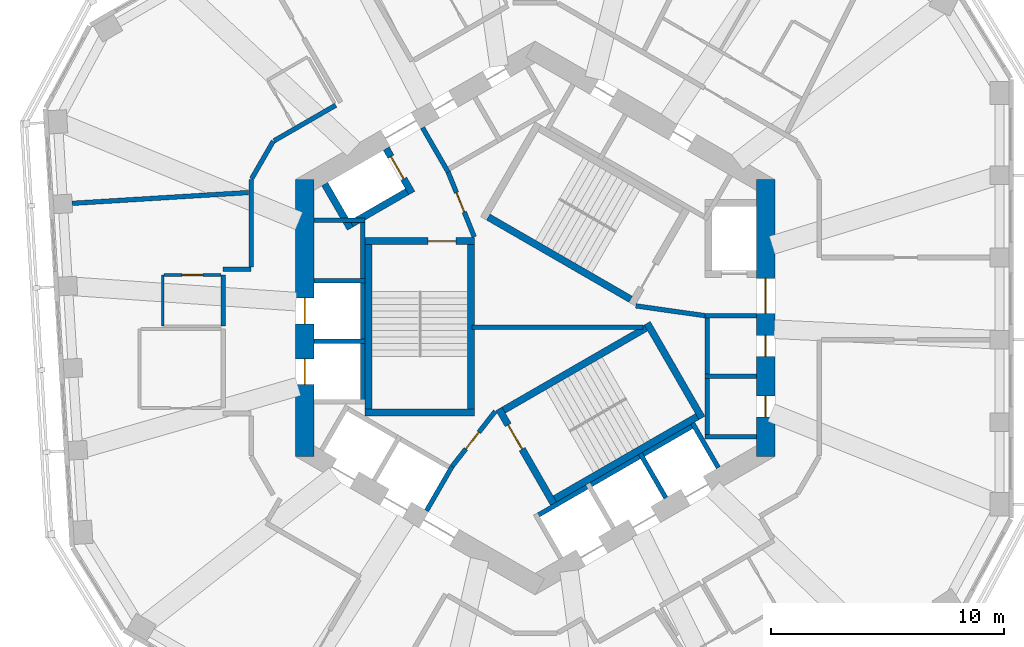
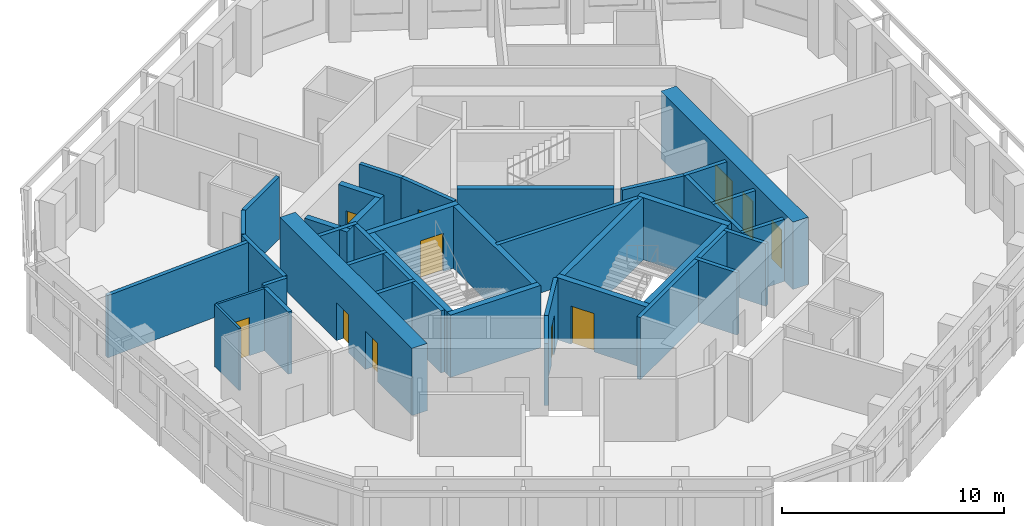
# One storey, part 5 of 11: 39 walls, 11 doors, 11 openings.
"""IFC4 building model written with IfcOpenShell, lengths in metres."""

from ifc_helpers import new_model, si_unit, direction, frame, frame_2d, origin, place, context, subcontext, project, spatial, rectangle, extrude, material, layer, layer_set, type_object, element, fill, save


model = new_model("IFC4")

# Units and contexts
model_context = context("Model", 3, precision=1e-05, world=origin(), true_north=direction((0.0, 1.0)))
body_context = subcontext(model_context, "Body", "Model", "MODEL_VIEW")
ifc_project = project(units=[si_unit("LENGTHUNIT", "METRE"), si_unit("AREAUNIT", "SQUARE_METRE"), si_unit("VOLUMEUNIT", "CUBIC_METRE"), si_unit("PLANEANGLEUNIT", "RADIAN"), si_unit("MASSUNIT", "GRAM", prefix="KILO")], contexts=[model_context])

# Site, building, storey
site_placement = place(None, origin())
site = spatial("IfcSite", under=ifc_project, at=site_placement, CompositionType="ELEMENT")
building_placement = place(site_placement, origin())
building = spatial("IfcBuilding", under=site, at=building_placement, Name="Vanh Sen Convention Tower", CompositionType="ELEMENT")
storey_placement = place(building_placement, frame((0.0, 0.0, 247.60009765625)))
storey = spatial("IfcBuildingStorey", under=building, at=storey_placement, Name="L61", CompositionType="ELEMENT", Elevation=247.60009765625)

# Wall
ifc_material_1 = material(Name="Moisture-resistant gypsum board on steel studs", Category="steel")
ifc_layer_1 = layer(ifc_material_1, 0.1201171875)
ifc_layer_set_1 = layer_set([ifc_layer_1], Name="Moisture-resistant gypsum board on steel studs")
wall_type_1 = type_object("IfcWallType", Name="Bathroom partition 120", PredefinedType="PARTITIONING", material=ifc_layer_set_1)
wall_1_placement = place(storey_placement, frame((-16.0009765625, -0.34912109375, 0.0), z_axis=(0.0, 0.0, 1.0), x_axis=(0.0, 1.0, 0.0)))
element("IfcWall", 1, at=wall_1_placement, inside=storey, type_object=wall_type_1, Name="Bathroom partition 120", PredefinedType="PARTITIONING", context=body_context, shape_type="SweptSolid", body=[
    extrude(rectangle(XDim=2.2001953125, YDim=0.1201171875, at=frame_2d((1.10009765625, 0.0))), origin(), (0.0, 0.0, 1.0), 3.419921875),
])

# Wall, opening, door
wall_2_placement = place(storey_placement, frame((-15.94091796875, 1.85107421875, 0.0), z_axis=(0.0, 0.0, 1.0), x_axis=(1.0, 0.0, 0.0)))
wall_2 = element("IfcWall", 2, at=wall_2_placement, inside=storey, type_object=wall_type_1, Name="Bathroom partition 120", PredefinedType="PARTITIONING", context=body_context, shape_type="SweptSolid", body=[
    extrude(rectangle(XDim=2.43994140625, YDim=0.1201171875, at=frame_2d((1.219970703125, 0.0))), origin(), (0.0, 0.0, 1.0), 3.419921875),
])
opening_1_placement = place(wall_2_placement, frame((0.77001953125, 0.0, 0.0)))
opening_1 = element("IfcOpeningElement", 3, at=opening_1_placement, cuts=wall_2, Name="Opening D61111", PredefinedType="OPENING", context=body_context, shape_type="SweptSolid", body=[
    extrude(rectangle(XDim=0.89990234375, YDim=2.10009765625, at=frame_2d((0.449951171875, 1.050048828125))), frame((0.0, 0.070068359375, 0.0), z_axis=(0.0, -1.0, 0.0), x_axis=(1.0, 0.0, 0.0)), (0.0, 0.0, 1.0), 0.14013671875),
])
ifc_material_2 = material(Name="Laminate door in steel frame", Category="steel")
door_type_1 = type_object("IfcDoorType", Name="Room internal door 900", OperationType="SINGLE_SWING_LEFT", PredefinedType="DOOR", material=ifc_material_2)
door_1_placement = place(opening_1_placement, origin())
door_1 = element("IfcDoor", 4, at=door_1_placement, inside=storey, type_object=door_type_1, Name="Internal room door D61111", OperationType="SINGLE_SWING_LEFT", OverallHeight=2.10009765625, OverallWidth=0.89990234375, PredefinedType="DOOR", context=body_context, shape_type="SweptSolid", body=[
    extrude(rectangle(XDim=0.89990234375, YDim=2.10009765625, at=frame_2d((0.449951171875, 1.050048828125))), frame((0.0, 0.02490234375, 0.0), z_axis=(0.0, -1.0, 0.0), x_axis=(1.0, 0.0, 0.0)), (0.0, 0.0, 1.0), 0.050048828125),
])
fill(opening_1, door_1)

# Wall, openings, doors
ifc_material_3 = material(Name="Concrete C60/75", Category="concrete")
ifc_layer_2 = layer(ifc_material_3, 0.800048828125)
ifc_layer_set_2 = layer_set([ifc_layer_2], Name="Concrete C60/75")
wall_type_2 = type_object("IfcWallType", Name="Core outer wall 800 C60/75", PredefinedType="SHEAR", material=ifc_layer_set_2)
wall_3_placement = place(storey_placement, frame((9.89990234375, -5.94677734375, 0.0), z_axis=(0.0, 0.0, 1.0), x_axis=(0.0, 1.0, 0.0)))
wall_3 = element("IfcWall", 5, at=wall_3_placement, inside=storey, type_object=wall_type_2, Name="Core wall face E L61", PredefinedType="SHEAR", context=body_context, shape_type="SweptSolid", body=[
    extrude(rectangle(XDim=11.8935546875, YDim=0.800048828125, at=frame_2d((5.94677734375, 0.0))), origin(), (0.0, 0.0, 1.0), 3.699951171875),
])
opening_2_placement = place(wall_3_placement, frame((6.146728515625, 0.0, 0.0)))
opening_2 = element("IfcOpeningElement", 6, at=opening_2_placement, cuts=wall_3, Name="Opening D61001", PredefinedType="OPENING", context=body_context, shape_type="SweptSolid", body=[
    extrude(rectangle(XDim=1.5, YDim=2.10009765625, at=frame_2d((0.75, 1.050048828125))), frame((0.0, 0.409912109375, 0.0), z_axis=(0.0, -1.0, 0.0), x_axis=(1.0, 0.0, 0.0)), (0.0, 0.0, 1.0), 0.820068359375),
])
opening_3_placement = place(wall_3_placement, frame((1.69677734375, 0.0, 0.0)))
opening_3 = element("IfcOpeningElement", 7, at=opening_3_placement, cuts=wall_3, Name="Opening D61009", PredefinedType="OPENING", context=body_context, shape_type="SweptSolid", body=[
    extrude(rectangle(XDim=0.89990234375, YDim=2.10009765625, at=frame_2d((0.449951171875, 1.050048828125))), frame((0.0, 0.409912109375, 0.0), z_axis=(0.0, -1.0, 0.0), x_axis=(1.0, 0.0, 0.0)), (0.0, 0.0, 1.0), 0.820068359375),
])
opening_4_placement = place(wall_3_placement, frame((4.296630859375, 0.0, 0.0)))
opening_4 = element("IfcOpeningElement", 8, at=opening_4_placement, cuts=wall_3, Name="Opening D61010", PredefinedType="OPENING", context=body_context, shape_type="SweptSolid", body=[
    extrude(rectangle(XDim=0.89990234375, YDim=2.10009765625, at=frame_2d((0.449951171875, 1.050048828125))), frame((0.0, 0.409912109375, 0.0), z_axis=(0.0, -1.0, 0.0), x_axis=(1.0, 0.0, 0.0)), (0.0, 0.0, 1.0), 0.820068359375),
])
ifc_material_4 = material(Name="Steel S355", Category="steel")
door_type_2 = type_object("IfcDoorType", Name="Plant door 900", OperationType="SINGLE_SWING_LEFT", PredefinedType="DOOR", material=ifc_material_4)
door_2_placement = place(opening_3_placement, origin())
door_2 = element("IfcDoor", 9, at=door_2_placement, inside=storey, type_object=door_type_2, Name="Plant door D61009", OperationType="SINGLE_SWING_LEFT", OverallHeight=2.10009765625, OverallWidth=0.89990234375, PredefinedType="DOOR", context=body_context, shape_type="SweptSolid", body=[
    extrude(rectangle(XDim=0.89990234375, YDim=2.10009765625, at=frame_2d((0.449951171875, 1.050048828125))), frame((0.0, 0.02490234375, 0.0), z_axis=(0.0, -1.0, 0.0), x_axis=(1.0, 0.0, 0.0)), (0.0, 0.0, 1.0), 0.050048828125),
])
fill(opening_3, door_2)
door_3_placement = place(opening_4_placement, origin())
door_3 = element("IfcDoor", 10, at=door_3_placement, inside=storey, type_object=door_type_2, Name="Plant door D61010", OperationType="SINGLE_SWING_LEFT", OverallHeight=2.10009765625, OverallWidth=0.89990234375, PredefinedType="DOOR", context=body_context, shape_type="SweptSolid", body=[
    extrude(rectangle(XDim=0.89990234375, YDim=2.10009765625, at=frame_2d((0.449951171875, 1.050048828125))), frame((0.0, 0.02490234375, 0.0), z_axis=(0.0, -1.0, 0.0), x_axis=(1.0, 0.0, 0.0)), (0.0, 0.0, 1.0), 0.050048828125),
])
fill(opening_4, door_3)
door_type_3 = type_object("IfcDoorType", Name="Stair lobby door 1500", OperationType="DOUBLE_DOOR_SINGLE_SWING", PredefinedType="DOOR", material=ifc_material_4)
door_4_placement = place(opening_2_placement, origin())
door_4 = element("IfcDoor", 11, at=door_4_placement, inside=storey, type_object=door_type_3, Name="Stair lobby door D61001", OperationType="DOUBLE_DOOR_SINGLE_SWING", OverallHeight=2.10009765625, OverallWidth=1.5, PredefinedType="DOOR", context=body_context, shape_type="SweptSolid", body=[
    extrude(rectangle(XDim=1.5, YDim=2.10009765625, at=frame_2d((0.75, 1.050048828125))), frame((0.0, 0.02490234375, 0.0), z_axis=(0.0, -1.0, 0.0), x_axis=(1.0, 0.0, 0.0)), (0.0, 0.0, 1.0), 0.050048828125),
])
fill(opening_2, door_4)

wall_4_placement = place(storey_placement, frame((-9.89990234375, 5.94677734375, 0.0), z_axis=(0.0, 0.0, 1.0), x_axis=(0.0, -1.0, 0.0)))
wall_4 = element("IfcWall", 12, at=wall_4_placement, inside=storey, type_object=wall_type_2, Name="Core wall face W L61", PredefinedType="SHEAR", context=body_context, shape_type="SweptSolid", body=[
    extrude(rectangle(XDim=11.8935546875, YDim=0.800048828125, at=frame_2d((5.94677734375, 0.0))), origin(), (0.0, 0.0, 1.0), 3.699951171875),
])
opening_5_placement = place(wall_4_placement, frame((5.0966796875, 0.0, 0.0)))
opening_5 = element("IfcOpeningElement", 13, at=opening_5_placement, cuts=wall_4, Name="Opening LD-HR1", PredefinedType="OPENING", context=body_context, shape_type="SweptSolid", body=[
    extrude(rectangle(XDim=1.10009765625, YDim=2.10009765625, at=frame_2d((0.550048828125, 1.050048828125))), frame((0.0, 0.409912109375, 0.0), z_axis=(0.0, -1.0, 0.0), x_axis=(1.0, 0.0, 0.0)), (0.0, 0.0, 1.0), 0.820068359375),
])
opening_6_placement = place(wall_4_placement, frame((7.69677734375, 0.0, 0.0)))
opening_6 = element("IfcOpeningElement", 14, at=opening_6_placement, cuts=wall_4, Name="Opening LD-HR2", PredefinedType="OPENING", context=body_context, shape_type="SweptSolid", body=[
    extrude(rectangle(XDim=1.10009765625, YDim=2.10009765625, at=frame_2d((0.550048828125, 1.050048828125))), frame((0.0, 0.409912109375, 0.0), z_axis=(0.0, -1.0, 0.0), x_axis=(1.0, 0.0, 0.0)), (0.0, 0.0, 1.0), 0.820068359375),
])
ifc_material_5 = material(Name="Stainless steel", Category="steel")
door_type_4 = type_object("IfcDoorType", Name="Lift landing door 1100", OperationType="DOUBLE_DOOR_SLIDING", PredefinedType="DOOR", material=ifc_material_5)
door_5_placement = place(opening_5_placement, origin())
door_5 = element("IfcDoor", 15, at=door_5_placement, inside=storey, type_object=door_type_4, Name="Lift HR1 landing door LD-HR1", OperationType="DOUBLE_DOOR_SLIDING", OverallHeight=2.10009765625, OverallWidth=1.10009765625, PredefinedType="DOOR", context=body_context, shape_type="SweptSolid", body=[
    extrude(rectangle(XDim=1.10009765625, YDim=2.10009765625, at=frame_2d((0.550048828125, 1.050048828125))), frame((0.0, 0.02490234375, 0.0), z_axis=(0.0, -1.0, 0.0), x_axis=(1.0, 0.0, 0.0)), (0.0, 0.0, 1.0), 0.050048828125),
])
fill(opening_5, door_5)
door_6_placement = place(opening_6_placement, origin())
door_6 = element("IfcDoor", 16, at=door_6_placement, inside=storey, type_object=door_type_4, Name="Lift HR2 landing door LD-HR2", OperationType="DOUBLE_DOOR_SLIDING", OverallHeight=2.10009765625, OverallWidth=1.10009765625, PredefinedType="DOOR", context=body_context, shape_type="SweptSolid", body=[
    extrude(rectangle(XDim=1.10009765625, YDim=2.10009765625, at=frame_2d((0.550048828125, 1.050048828125))), frame((0.0, 0.02490234375, 0.0), z_axis=(0.0, -1.0, 0.0), x_axis=(1.0, 0.0, 0.0)), (0.0, 0.0, 1.0), 0.050048828125),
])
fill(opening_6, door_6)

# Walls
ifc_material_6 = material(Name="Masonry blockwork", Category="masonry")
ifc_layer_3 = layer(ifc_material_6, 0.199951171875)
ifc_layer_set_3 = layer_set([ifc_layer_3], Name="Masonry blockwork")
wall_type_3 = type_object("IfcWallType", Name="Core partition 200", PredefinedType="PARTITIONING", material=ifc_layer_set_3)
wall_5_placement = place(storey_placement, frame((-2.719970703125, -0.39990234375, 0.0), z_axis=(0.0, 0.0, 1.0), x_axis=(1.0, 0.0, 0.0)))
element("IfcWall", 17, at=wall_5_placement, inside=storey, type_object=wall_type_3, Name="Core partition L61", PredefinedType="PARTITIONING", context=body_context, shape_type="SweptSolid", body=[
    extrude(rectangle(XDim=7.34716796875, YDim=0.199951171875, at=frame_2d((3.673583984375, 0.0))), origin(), (0.0, 0.0, 1.0), 3.419921875),
])
ifc_material_7 = material(Name="Gypsum board on steel studs with mineral wool", Category="steel")
ifc_layer_4 = layer(ifc_material_7, 0.199951171875)
ifc_layer_set_4 = layer_set([ifc_layer_4], Name="Gypsum board on steel studs with mineral wool")
wall_type_4 = type_object("IfcWallType", Name="Corridor partition wall 200", PredefinedType="PARTITIONING", material=ifc_layer_set_4)
wall_6_placement = place(storey_placement, frame((-13.40087890625, 1.85107421875, 0.0), z_axis=(0.0, 0.0, 1.0), x_axis=(0.0, -1.0, 0.0)))
element("IfcWall", 18, at=wall_6_placement, inside=storey, type_object=wall_type_4, Name="Corridor partition wall 200", PredefinedType="PARTITIONING", context=body_context, shape_type="SweptSolid", body=[
    extrude(rectangle(XDim=2.2001953125, YDim=0.199951171875, at=frame_2d((1.10009765625, 0.0))), origin(), (0.0, 0.0, 1.0), 3.419921875),
])
wall_7_placement = place(storey_placement, frame((-12.199951171875, 2.10107421875, 0.0), z_axis=(0.0, 0.0, 1.0), x_axis=(-1.0, 0.0, 0.0)))
element("IfcWall", 19, at=wall_7_placement, inside=storey, type_object=wall_type_4, Name="Corridor partition wall 200", PredefinedType="PARTITIONING", context=body_context, shape_type="SweptSolid", body=[
    extrude(rectangle(XDim=1.200927734375, YDim=0.199951171875, at=frame_2d((0.6005859375, 0.0))), origin(), (0.0, 0.0, 1.0), 3.419921875),
])
wall_8_placement = place(storey_placement, frame((-12.199951171875, 5.94677734375, 0.0), z_axis=(0.0, 0.0, 1.0), x_axis=(0.0, -1.0, 0.0)))
element("IfcWall", 20, at=wall_8_placement, inside=storey, type_object=wall_type_4, Name="Corridor partition wall 200", PredefinedType="PARTITIONING", context=body_context, shape_type="SweptSolid", body=[
    extrude(rectangle(XDim=3.745849609375, YDim=0.199951171875, at=frame_2d((1.873046875, 0.0))), origin(), (0.0, 0.0, 1.0), 3.419921875),
])
wall_9_placement = place(storey_placement, frame((-11.25, 7.592041015625, 0.0), z_axis=(0.0, 0.0, 1.0), x_axis=(-0.499964847546, -0.866045698112, 0.0)))
element("IfcWall", 21, at=wall_9_placement, inside=storey, type_object=wall_type_4, Name="Corridor partition wall 200", PredefinedType="PARTITIONING", context=body_context, shape_type="SweptSolid", body=[
    extrude(rectangle(XDim=1.860107421875, YDim=0.199951171875, at=frame_2d((0.93017578125, 0.0))), origin(), (0.0, 0.0, 1.0), 3.419921875),
])
wall_10_placement = place(storey_placement, frame((-8.56640625, 9.1416015625, 0.0), z_axis=(0.0, 0.0, 1.0), x_axis=(-0.865999496279, -0.500044870432, 0.0)))
element("IfcWall", 22, at=wall_10_placement, inside=storey, type_object=wall_type_4, Name="Corridor partition wall 200", PredefinedType="PARTITIONING", context=body_context, shape_type="SweptSolid", body=[
    extrude(rectangle(XDim=3.058837890625, YDim=0.199951171875, at=frame_2d((1.529296875, 0.0))), origin(), (0.0, 0.0, 1.0), 3.419921875),
])

# Wall, opening, door
ifc_layer_5 = layer(ifc_material_3, 0.300048828125)
ifc_layer_set_5 = layer_set([ifc_layer_5], Name="Concrete C60/75")
wall_type_5 = type_object("IfcWallType", Name="Fire-fighting lift shaft wall 300", PredefinedType="SHEAR", material=ifc_layer_set_5)
wall_11_placement = place(storey_placement, frame((-5.29541015625, 5.3720703125, 0.0), z_axis=(0.0, 0.0, 1.0), x_axis=(-0.500077893725, 0.86598042715, 0.0)))
wall_11 = element("IfcWall", 23, at=wall_11_placement, inside=storey, type_object=wall_type_5, Name="Fire-fighting lift shaft wall L61", PredefinedType="SHEAR", context=body_context, shape_type="SweptSolid", body=[
    extrude(rectangle(XDim=2.199951171875, YDim=0.300048828125, at=frame_2d((1.10009765625, 0.0))), origin(), (0.0, 0.0, 1.0), 3.419921875),
])
opening_7_placement = place(wall_11_placement, frame((0.699951171875, 0.0, 0.0)))
opening_7 = element("IfcOpeningElement", 24, at=opening_7_placement, cuts=wall_11, Name="Opening LD-FF2", PredefinedType="OPENING", context=body_context, shape_type="SweptSolid", body=[
    extrude(rectangle(XDim=1.10009765625, YDim=2.10009765625, at=frame_2d((0.550048828125, 1.050048828125))), frame((0.0, 0.159912109375, 0.0), z_axis=(0.0, -1.0, 0.0), x_axis=(1.0, 0.0, 0.0)), (0.0, 0.0, 1.0), 0.320068359375),
])
door_type_5 = type_object("IfcDoorType", Name="Fire-fighting lift landing door 1100", OperationType="DOUBLE_DOOR_SLIDING", PredefinedType="DOOR", material=ifc_material_5)
door_7_placement = place(opening_7_placement, origin())
door_7 = element("IfcDoor", 25, at=door_7_placement, inside=storey, type_object=door_type_5, Name="Lift FF2 landing door LD-FF2", OperationType="DOUBLE_DOOR_SLIDING", OverallHeight=2.10009765625, OverallWidth=1.10009765625, PredefinedType="DOOR", context=body_context, shape_type="SweptSolid", body=[
    extrude(rectangle(XDim=1.10009765625, YDim=2.10009765625, at=frame_2d((0.550048828125, 1.050048828125))), frame((0.0, 0.02490234375, 0.0), z_axis=(0.0, -1.0, 0.0), x_axis=(1.0, 0.0, 0.0)), (0.0, 0.0, 1.0), 0.050048828125),
])
fill(opening_7, door_7)

# Walls
wall_12_placement = place(storey_placement, frame((-5.240478515625, 5.576904296875, 0.0), z_axis=(0.0, 0.0, 1.0), x_axis=(-0.866014461049, -0.500018952895, 0.0)))
element("IfcWall", 26, at=wall_12_placement, inside=storey, type_object=wall_type_5, Name="Fire-fighting lift shaft wall L61", PredefinedType="SHEAR", context=body_context, shape_type="SweptSolid", body=[
    extrude(rectangle(XDim=3.349853515625, YDim=0.300048828125, at=frame_2d((1.6748046875, 0.0))), origin(), (0.0, 0.0, 1.0), 3.419921875),
])
wall_13_placement = place(storey_placement, frame((-7.936767578125, 3.846923828125, 0.0), z_axis=(0.0, 0.0, 1.0), x_axis=(-0.50002983664, 0.866008176907, 0.0)))
element("IfcWall", 27, at=wall_13_placement, inside=storey, type_object=wall_type_5, Name="Fire-fighting lift shaft wall L61", PredefinedType="SHEAR", context=body_context, shape_type="SweptSolid", body=[
    extrude(rectangle(XDim=2.199951171875, YDim=0.300048828125, at=frame_2d((1.10009765625, 0.0))), origin(), (0.0, 0.0, 1.0), 3.419921875),
])
ifc_material_8 = material(Name="Concrete C40/50", Category="concrete")
ifc_layer_6 = layer(ifc_material_8, 0.199951171875)
ifc_layer_set_6 = layer_set([ifc_layer_6], Name="Concrete C40/50")
wall_type_6 = type_object("IfcWallType", Name="Lift shaft wall 200", PredefinedType="PARTITIONING", material=ifc_layer_set_6)
wall_14_placement = place(storey_placement, frame((7.39990234375, -5.199951171875, 0.0), z_axis=(0.0, 0.0, 1.0), x_axis=(0.0, 1.0, 0.0)))
element("IfcWall", 28, at=wall_14_placement, inside=storey, type_object=wall_type_6, Name="Lift shaft wall L61", PredefinedType="PARTITIONING", context=body_context, shape_type="SweptSolid", body=[
    extrude(rectangle(XDim=5.39990234375, YDim=0.199951171875, at=frame_2d((2.699951171875, 0.0))), origin(), (0.0, 0.0, 1.0), 3.419921875),
])
for number, where, z_axis, x_axis, name in (
    (29, (7.300048828125, -5.10009765625, 0.0), (0.0, 0.0, 1.0), (1.0, 0.0, 0.0), "Lift shaft wall L61"),
    (30, (7.300048828125, -2.5, 0.0), (0.0, 0.0, 1.0), (1.0, 0.0, 0.0), "Lift shaft wall L61"),
    (31, (7.300048828125, 0.10009765625, 0.0), (0.0, 0.0, 1.0), (1.0, 0.0, 0.0), "Lift shaft wall L61"),
    (32, (-3.736572265625, 6.27197265625, 0.0), (0.0, 0.0, 1.0), (-0.50002983664, 0.866008176907, 0.0), "Lift shaft wall L61"),
):
    element("IfcWall", number, at=place(storey_placement, frame(where, z_axis=z_axis, x_axis=x_axis)), inside=storey, type_object=wall_type_6, Name=name, PredefinedType="PARTITIONING", context=body_context, shape_type="SweptSolid", body=[
        extrude(rectangle(XDim=2.199951171875, YDim=0.199951171875, at=frame_2d((1.10009765625, 0.0))), origin(), (0.0, 0.0, 1.0), 3.419921875),
    ])
wall_15_placement = place(storey_placement, frame((-7.39990234375, 4.300048828125, 0.0), z_axis=(0.0, 0.0, 1.0), x_axis=(0.0, -1.0, 0.0)))
element("IfcWall", 33, at=wall_15_placement, inside=storey, type_object=wall_type_6, Name="Lift shaft wall L61", PredefinedType="PARTITIONING", context=body_context, shape_type="SweptSolid", body=[
    extrude(rectangle(XDim=8.0, YDim=0.199951171875, at=frame_2d((4.0, 0.0))), origin(), (0.0, 0.0, 1.0), 3.419921875),
])
for number, where, z_axis, x_axis, name in (
    (34, (-7.300048828125, 4.199951171875, 0.0), (0.0, 0.0, 1.0), (-1.0, 0.0, 0.0), "Lift shaft wall L61"),
    (35, (-7.300048828125, 1.60009765625, 0.0), (0.0, 0.0, 1.0), (-1.0, 0.0, 0.0), "Lift shaft wall L61"),
    (36, (-7.300048828125, -1.0, 0.0), (0.0, 0.0, 1.0), (-1.0, 0.0, 0.0), "Lift shaft wall L61"),
):
    element("IfcWall", number, at=place(storey_placement, frame(where, z_axis=z_axis, x_axis=x_axis)), inside=storey, type_object=wall_type_6, Name=name, PredefinedType="PARTITIONING", context=body_context, shape_type="SweptSolid", body=[
        extrude(rectangle(XDim=2.199951171875, YDim=0.199951171875, at=frame_2d((1.10009765625, 0.0))), origin(), (0.0, 0.0, 1.0), 3.419921875),
    ])
wall_16_placement = place(storey_placement, frame((-3.5634765625, -6.3720703125, 0.0), z_axis=(0.0, 0.0, 1.0), x_axis=(-0.499994660107, -0.866028486751, 0.0)))
element("IfcWall", 37, at=wall_16_placement, inside=storey, type_object=wall_type_6, Name="Lift shaft wall L61", PredefinedType="PARTITIONING", context=body_context, shape_type="SweptSolid", body=[
    extrude(rectangle(XDim=2.19970703125, YDim=0.199951171875, at=frame_2d((1.099853515625, 0.0))), origin(), (0.0, 0.0, 1.0), 3.419921875),
])
wall_17_placement = place(storey_placement, frame((-0.02392578125, -8.55859375, 0.0), z_axis=(0.0, 0.0, 1.0), x_axis=(0.866026010844, 0.49999894854, 0.0)))
element("IfcWall", 38, at=wall_17_placement, inside=storey, type_object=wall_type_6, Name="Lift shaft wall L61", PredefinedType="PARTITIONING", context=body_context, shape_type="SweptSolid", body=[
    extrude(rectangle(XDim=8.0, YDim=0.199951171875, at=frame_2d((4.0, 0.0))), origin(), (0.0, 0.0, 1.0), 3.419921875),
])
for number, where, z_axis, x_axis, name in (
    (39, (4.51611328125, -5.822021484375, 0.0), (0.0, 0.0, 1.0), (0.499946605688, -0.86605622881, 0.0), "Lift shaft wall L61"),
    (40, (6.767578125, -4.52197265625, 0.0), (0.0, 0.0, 1.0), (0.50002983664, -0.866008176907, 0.0), "Lift shaft wall L61"),
):
    element("IfcWall", number, at=place(storey_placement, frame(where, z_axis=z_axis, x_axis=x_axis)), inside=storey, type_object=wall_type_6, Name=name, PredefinedType="PARTITIONING", context=body_context, shape_type="SweptSolid", body=[
        extrude(rectangle(XDim=2.199951171875, YDim=0.199951171875, at=frame_2d((1.10009765625, 0.0))), origin(), (0.0, 0.0, 1.0), 3.419921875),
    ])
ifc_layer_7 = layer(ifc_material_8, 0.199951171875)
ifc_layer_set_7 = layer_set([ifc_layer_7], Name="Concrete C40/50")
wall_type_7 = type_object("IfcWallType", Name="Stair lobby wall 200", PredefinedType="PARTITIONING", material=ifc_layer_set_7)
wall_18_placement = place(storey_placement, frame((4.327392578125, 0.52099609375, 0.0), z_axis=(0.0, 0.0, 1.0), x_axis=(0.990124376366, -0.14019172346, 0.0)))
element("IfcWall", 41, at=wall_18_placement, inside=storey, type_object=wall_type_7, Name="Stair lobby wall L61", PredefinedType="PARTITIONING", context=body_context, shape_type="SweptSolid", body=[
    extrude(rectangle(XDim=3.002197265625, YDim=0.199951171875, at=frame_2d((1.5009765625, 0.0))), origin(), (0.0, 0.0, 1.0), 3.419921875),
])

# Wall, opening, door
wall_19_placement = place(storey_placement, frame((-2.614990234375, 3.487060546875, 0.0), z_axis=(0.0, 0.0, 1.0), x_axis=(-0.373576831041, 0.92759924068, 0.0)))
wall_19 = element("IfcWall", 42, at=wall_19_placement, inside=storey, type_object=wall_type_7, Name="Stair lobby wall L61", PredefinedType="PARTITIONING", context=body_context, shape_type="SweptSolid", body=[
    extrude(rectangle(XDim=3.002197265625, YDim=0.199951171875, at=frame_2d((1.5009765625, 0.0))), origin(), (0.0, 0.0, 1.0), 3.419921875),
])
opening_8_placement = place(wall_19_placement, frame((1.14990234375, 0.0, 0.0)))
opening_8 = element("IfcOpeningElement", 43, at=opening_8_placement, cuts=wall_19, Name="Opening D61007", PredefinedType="OPENING", context=body_context, shape_type="SweptSolid", body=[
    extrude(rectangle(XDim=0.89990234375, YDim=2.10009765625, at=frame_2d((0.449951171875, 1.050048828125))), frame((0.0, 0.10986328125, 0.0), z_axis=(0.0, -1.0, 0.0), x_axis=(1.0, 0.0, 0.0)), (0.0, 0.0, 1.0), 0.219970703125),
])
door_8_placement = place(opening_8_placement, origin())
door_8 = element("IfcDoor", 44, at=door_8_placement, inside=storey, type_object=door_type_2, Name="Plant door D61007", OperationType="SINGLE_SWING_LEFT", OverallHeight=2.10009765625, OverallWidth=0.89990234375, PredefinedType="DOOR", context=body_context, shape_type="SweptSolid", body=[
    extrude(rectangle(XDim=0.89990234375, YDim=2.10009765625, at=frame_2d((0.449951171875, 1.050048828125))), frame((0.0, 0.02490234375, 0.0), z_axis=(0.0, -1.0, 0.0), x_axis=(1.0, 0.0, 0.0)), (0.0, 0.0, 1.0), 0.050048828125),
])
fill(opening_8, door_8)

wall_20_placement = place(storey_placement, frame((-1.71240234375, -4.00830078125, 0.0), z_axis=(0.0, 0.0, 1.0), x_axis=(-0.616549420702, -0.787316208287, 0.0)))
wall_20 = element("IfcWall", 45, at=wall_20_placement, inside=storey, type_object=wall_type_7, Name="Stair lobby wall L61", PredefinedType="PARTITIONING", context=body_context, shape_type="SweptSolid", body=[
    extrude(rectangle(XDim=3.002197265625, YDim=0.199951171875, at=frame_2d((1.5009765625, 0.0))), origin(), (0.0, 0.0, 1.0), 3.419921875),
])
opening_9_placement = place(wall_20_placement, frame((1.14990234375, 0.0, 0.0)))
opening_9 = element("IfcOpeningElement", 46, at=opening_9_placement, cuts=wall_20, Name="Opening D61008", PredefinedType="OPENING", context=body_context, shape_type="SweptSolid", body=[
    extrude(rectangle(XDim=0.89990234375, YDim=2.10009765625, at=frame_2d((0.449951171875, 1.050048828125))), frame((0.0, 0.10986328125, 0.0), z_axis=(0.0, -1.0, 0.0), x_axis=(1.0, 0.0, 0.0)), (0.0, 0.0, 1.0), 0.219970703125),
])
door_9_placement = place(opening_9_placement, origin())
door_9 = element("IfcDoor", 47, at=door_9_placement, inside=storey, type_object=door_type_2, Name="Plant door D61008", OperationType="SINGLE_SWING_LEFT", OverallHeight=2.10009765625, OverallWidth=0.89990234375, PredefinedType="DOOR", context=body_context, shape_type="SweptSolid", body=[
    extrude(rectangle(XDim=0.89990234375, YDim=2.10009765625, at=frame_2d((0.449951171875, 1.050048828125))), frame((0.0, 0.02490234375, 0.0), z_axis=(0.0, -1.0, 0.0), x_axis=(1.0, 0.0, 0.0)), (0.0, 0.0, 1.0), 0.050048828125),
])
fill(opening_9, door_9)

# Wall
ifc_layer_8 = layer(ifc_material_3, 0.300048828125)
ifc_layer_set_8 = layer_set([ifc_layer_8], Name="Concrete C60/75")
wall_type_8 = type_object("IfcWallType", Name="Stair wall 300", PredefinedType="SHEAR", material=ifc_layer_set_8)
wall_21_placement = place(storey_placement, frame((4.10302734375, 0.806640625, 0.0), z_axis=(0.0, 0.0, 1.0), x_axis=(-0.866027801685, 0.499995846692, 0.0)))
element("IfcWall", 48, at=wall_21_placement, inside=storey, type_object=wall_type_8, Name="Stair wall L61", PredefinedType="SHEAR", context=body_context, shape_type="SweptSolid", body=[
    extrude(rectangle(XDim=7.06005859375, YDim=0.300048828125, at=frame_2d((3.530029296875, 0.0))), origin(), (0.0, 0.0, 1.0), 3.419921875),
])

# Wall, opening, door
wall_22_placement = place(storey_placement, frame((-2.60009765625, 3.300048828125, 0.0), z_axis=(0.0, 0.0, 1.0), x_axis=(-1.0, 0.0, 0.0)))
wall_22 = element("IfcWall", 49, at=wall_22_placement, inside=storey, type_object=wall_type_8, Name="Stair wall L61", PredefinedType="SHEAR", context=body_context, shape_type="SweptSolid", body=[
    extrude(rectangle(XDim=4.699951171875, YDim=0.300048828125, at=frame_2d((2.35009765625, 0.0))), origin(), (0.0, 0.0, 1.0), 3.419921875),
])
opening_10_placement = place(wall_22_placement, frame((0.800048828125, 0.0, 0.0)))
opening_10 = element("IfcOpeningElement", 50, at=opening_10_placement, cuts=wall_22, Name="Opening D61005", PredefinedType="OPENING", context=body_context, shape_type="SweptSolid", body=[
    extrude(rectangle(XDim=1.199951171875, YDim=2.10009765625, at=frame_2d((0.60009765625, 1.050048828125))), frame((0.0, 0.159912109375, 0.0), z_axis=(0.0, -1.0, 0.0), x_axis=(1.0, 0.0, 0.0)), (0.0, 0.0, 1.0), 0.320068359375),
])
door_type_6 = type_object("IfcDoorType", Name="Stair door 1200", OperationType="SINGLE_SWING_RIGHT", PredefinedType="DOOR", material=ifc_material_4)
door_10_placement = place(opening_10_placement, origin())
door_10 = element("IfcDoor", 51, at=door_10_placement, inside=storey, type_object=door_type_6, Name="Stair ST2 door D61005", OperationType="SINGLE_SWING_RIGHT", OverallHeight=2.10009765625, OverallWidth=1.199951171875, PredefinedType="DOOR", context=body_context, shape_type="SweptSolid", body=[
    extrude(rectangle(XDim=1.199951171875, YDim=2.10009765625, at=frame_2d((0.60009765625, 1.050048828125))), frame((0.0, 0.02490234375, 0.0), z_axis=(0.0, -1.0, 0.0), x_axis=(1.0, 0.0, 0.0)), (0.0, 0.0, 1.0), 0.050048828125),
])
fill(opening_10, door_10)

# Walls
wall_23_placement = place(storey_placement, frame((-2.60009765625, -4.06005859375, 0.0), z_axis=(0.0, 0.0, 1.0), x_axis=(-1.0, 0.0, 0.0)))
element("IfcWall", 52, at=wall_23_placement, inside=storey, type_object=wall_type_8, Name="Stair wall L61", PredefinedType="SHEAR", context=body_context, shape_type="SweptSolid", body=[
    extrude(rectangle(XDim=4.699951171875, YDim=0.300048828125, at=frame_2d((2.35009765625, 0.0))), origin(), (0.0, 0.0, 1.0), 3.419921875),
])
for number, where, z_axis, x_axis, name in (
    (53, (-2.75, 3.14990234375, 0.0), (0.0, 0.0, 1.0), (0.0, -1.0, 0.0), "Stair wall L61"),
    (54, (-7.14990234375, 3.14990234375, 0.0), (0.0, 0.0, 1.0), (0.0, -1.0, 0.0), "Stair wall L61"),
):
    element("IfcWall", number, at=place(storey_placement, frame(where, z_axis=z_axis, x_axis=x_axis)), inside=storey, type_object=wall_type_8, Name=name, PredefinedType="SHEAR", context=body_context, shape_type="SweptSolid", body=[
        extrude(rectangle(XDim=7.059814453125, YDim=0.300048828125, at=frame_2d((3.52978515625, 0.0))), origin(), (0.0, 0.0, 1.0), 3.419921875),
    ])

# Wall, opening, door
wall_24_placement = place(storey_placement, frame((-1.557861328125, -3.901611328125, 0.0), z_axis=(0.0, 0.0, 1.0), x_axis=(0.499977259774, -0.866038532462, 0.0)))
wall_24 = element("IfcWall", 55, at=wall_24_placement, inside=storey, type_object=wall_type_8, Name="Stair wall L61", PredefinedType="SHEAR", context=body_context, shape_type="SweptSolid", body=[
    extrude(rectangle(XDim=4.699951171875, YDim=0.300048828125, at=frame_2d((2.35009765625, 0.0))), origin(), (0.0, 0.0, 1.0), 3.419921875),
])
opening_11_placement = place(wall_24_placement, frame((0.800048828125, 0.0, 0.0)))
opening_11 = element("IfcOpeningElement", 56, at=opening_11_placement, cuts=wall_24, Name="Opening D61006", PredefinedType="OPENING", context=body_context, shape_type="SweptSolid", body=[
    extrude(rectangle(XDim=1.199951171875, YDim=2.10009765625, at=frame_2d((0.60009765625, 1.050048828125))), frame((0.0, 0.159912109375, 0.0), z_axis=(0.0, -1.0, 0.0), x_axis=(1.0, 0.0, 0.0)), (0.0, 0.0, 1.0), 0.320068359375),
])
door_11_placement = place(opening_11_placement, origin())
door_11 = element("IfcDoor", 57, at=door_11_placement, inside=storey, type_object=door_type_6, Name="Stair ST3 door D61006", OperationType="SINGLE_SWING_RIGHT", OverallHeight=2.10009765625, OverallWidth=1.199951171875, PredefinedType="DOOR", context=body_context, shape_type="SweptSolid", body=[
    extrude(rectangle(XDim=1.199951171875, YDim=2.10009765625, at=frame_2d((0.60009765625, 1.050048828125))), frame((0.0, 0.02490234375, 0.0), z_axis=(0.0, -1.0, 0.0), x_axis=(1.0, 0.0, 0.0)), (0.0, 0.0, 1.0), 0.050048828125),
])
fill(opening_11, door_11)

# Walls
wall_25_placement = place(storey_placement, frame((4.816162109375, -0.2216796875, 0.0), z_axis=(0.0, 0.0, 1.0), x_axis=(0.499977259774, -0.866038532462, 0.0)))
element("IfcWall", 58, at=wall_25_placement, inside=storey, type_object=wall_type_8, Name="Stair wall L61", PredefinedType="SHEAR", context=body_context, shape_type="SweptSolid", body=[
    extrude(rectangle(XDim=4.699951171875, YDim=0.300048828125, at=frame_2d((2.35009765625, 0.0))), origin(), (0.0, 0.0, 1.0), 3.419921875),
])
for number, where, z_axis, x_axis, name in (
    (59, (-1.35302734375, -3.95654296875, 0.0), (0.0, 0.0, 1.0), (0.866027801685, 0.499995846692, 0.0), "Stair wall L61"),
    (60, (0.846923828125, -7.76708984375, 0.0), (0.0, 0.0, 1.0), (0.866027801685, 0.499995846692, 0.0), "Stair wall L61"),
):
    element("IfcWall", number, at=place(storey_placement, frame(where, z_axis=z_axis, x_axis=x_axis)), inside=storey, type_object=wall_type_8, Name=name, PredefinedType="SHEAR", context=body_context, shape_type="SweptSolid", body=[
        extrude(rectangle(XDim=7.06005859375, YDim=0.300048828125, at=frame_2d((3.530029296875, 0.0))), origin(), (0.0, 0.0, 1.0), 3.419921875),
    ])
ifc_layer_9 = layer(ifc_material_7, 0.199951171875)
ifc_layer_set_9 = layer_set([ifc_layer_9], Name="Gypsum board on steel studs with mineral wool")
wall_type_9 = type_object("IfcWallType", Name="Tenant suite wall 200", PredefinedType="PARTITIONING", material=ifc_layer_set_9)
wall_26_placement = place(storey_placement, frame((-19.887939453125, 4.9267578125, 0.0), z_axis=(0.0, 0.0, 1.0), x_axis=(0.998133794525, 0.061064950896, 0.0)))
element("IfcWall", 61, at=wall_26_placement, inside=storey, type_object=wall_type_9, Name="Tenant suite wall 200", PredefinedType="PARTITIONING", context=body_context, shape_type="SweptSolid", body=[
    extrude(rectangle(XDim=7.59228515625, YDim=0.199951171875, at=frame_2d((3.796142578125, 0.0))), origin(), (0.0, 0.0, 1.0), 3.419921875),
])

save(model, "model.ifc")
